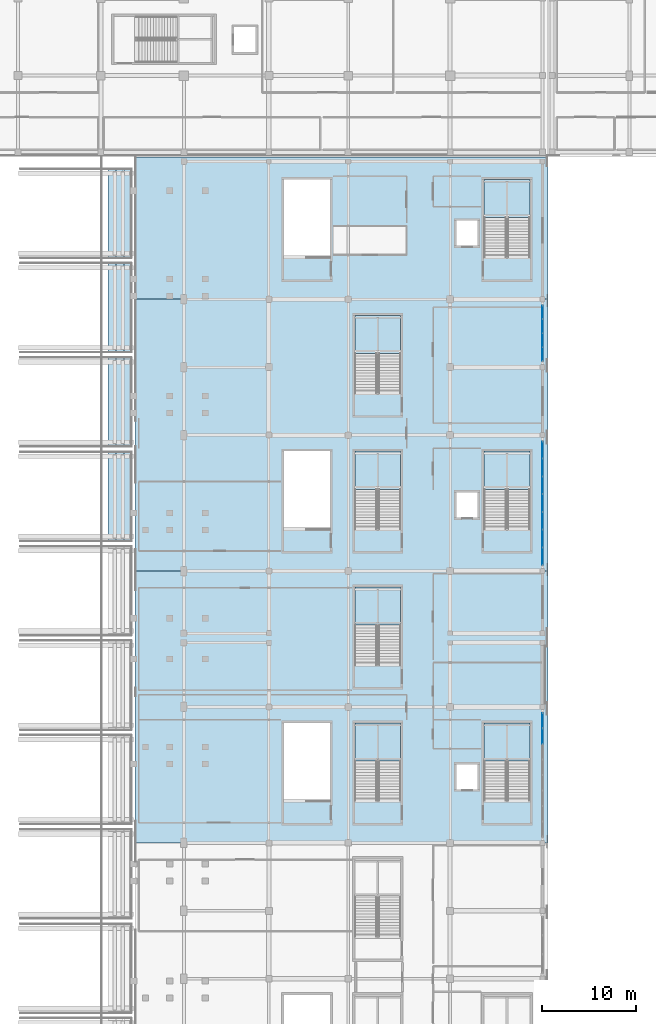
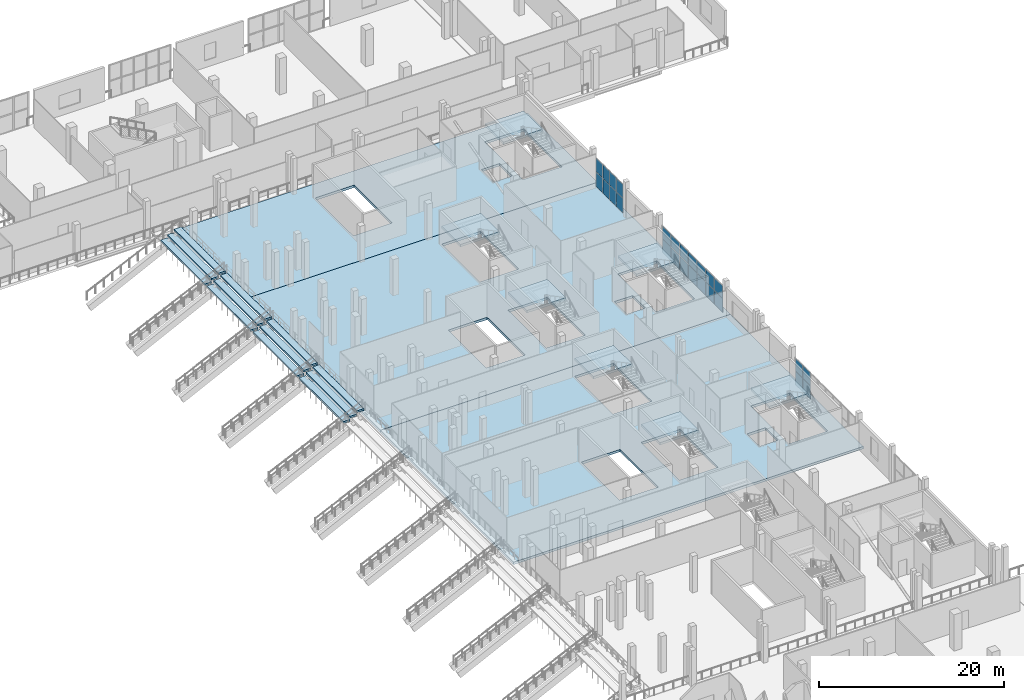
# One storey, part 65 of 129: 26 plates, 22 slabs, 10 elements without a shape of their own.
"""IFC4 building model written with IfcOpenShell, lengths in metres."""

from ifc_helpers import new_model, si_unit, direction, frame, origin, origin_2d, place, context, subcontext, project, spatial, polyline, rectangle, outline, extrude, material, layer, layer_set, type_object, element, aggregate, save


model = new_model("IFC4")

# Units and contexts
model_context = context("Model", 3, precision=1e-05, world=origin(), true_north=direction((0.0, 1.0)))
body_context = subcontext(model_context, "Body", "Model", "MODEL_VIEW")
ifc_project = project(units=[si_unit("LENGTHUNIT", "METRE"), si_unit("AREAUNIT", "SQUARE_METRE"), si_unit("VOLUMEUNIT", "CUBIC_METRE"), si_unit("PLANEANGLEUNIT", "RADIAN"), si_unit("MASSUNIT", "GRAM", prefix="KILO")], contexts=[model_context])

# Site, building, storey
site_placement = place(None, origin())
site = spatial("IfcSite", under=ifc_project, at=site_placement, CompositionType="ELEMENT")
building_placement = place(site_placement, origin())
building = spatial("IfcBuilding", under=site, at=building_placement, Name="Koshinbarg Plaza Stadium", CompositionType="ELEMENT")
storey_placement = place(building_placement, frame((0.0, 0.0, 5.39990234375)))
storey = spatial("IfcBuildingStorey", under=building, at=storey_placement, Name="L01", CompositionType="ELEMENT", Elevation=5.39990234375)

# Curtain wall, plates
ifc_material_1 = material(Name="Thermally broken anodised aluminium and low-E double glazing", Category="aluminium")
curtain_wall_type_1 = type_object("IfcCurtainWallType", Name="CW-SYS-05", PredefinedType="NOTDEFINED", material=ifc_material_1)
curtain_wall_1_placement = place(storey_placement, origin())
curtain_wall_1 = element("IfcCurtainWall", 1, at=curtain_wall_1_placement, inside=storey, type_object=curtain_wall_type_1, Name="L01 unitised curtain wall CW-L01-020", PredefinedType="NOTDEFINED")
ifc_material_2 = material(Name="Solar-control low-E double glazing unit", Category="glass")
ifc_layer_1 = layer(ifc_material_2, 0.028076171875)
ifc_layer_set_1 = layer_set([ifc_layer_1], Name="Solar-control low-E double glazing unit")
plate_type_1 = type_object("IfcPlateType", Name="CW-PNL-28", PredefinedType="CURTAIN_PANEL", material=ifc_layer_set_1)
plate_1_placement = place(storey_placement, frame((218.39990234375, 110.52001953125, 0.06005859375), z_axis=(0.0, 0.0, 1.0), x_axis=(0.0, -1.0, 0.0)))
plate_1 = element("IfcPlate", 2, at=plate_1_placement, type_object=plate_type_1, Name="CW05 panel 1.1", PredefinedType="CURTAIN_PANEL", context=body_context, shape_type="SweptSolid", body=[
    extrude(rectangle(XDim=1.39990234375, YDim=0.028076171875, at=origin_2d()), origin(), (0.0, 0.0, 1.0), 1.927490234375),
])
plate_2_placement = place(storey_placement, frame((218.39990234375, 110.52001953125, 2.047607421875), z_axis=(0.0, 0.0, 1.0), x_axis=(0.0, -1.0, 0.0)))
plate_2 = element("IfcPlate", 3, at=plate_2_placement, type_object=plate_type_1, Name="CW05 panel 1.2", PredefinedType="CURTAIN_PANEL", context=body_context, shape_type="SweptSolid", body=[
    extrude(rectangle(XDim=1.39990234375, YDim=0.028076171875, at=origin_2d()), origin(), (0.0, 0.0, 1.0), 1.7724609375),
])
plate_3_placement = place(storey_placement, frame((218.39990234375, 109.044921875, 0.06005859375), z_axis=(0.0, 0.0, 1.0), x_axis=(0.0, -1.0, 0.0)))
plate_3 = element("IfcPlate", 4, at=plate_3_placement, type_object=plate_type_1, Name="CW05 panel 2.1", PredefinedType="CURTAIN_PANEL", context=body_context, shape_type="SweptSolid", body=[
    extrude(rectangle(XDim=1.429931640625, YDim=0.028076171875, at=origin_2d()), origin(), (0.0, 0.0, 1.0), 1.927490234375),
])
plate_4_placement = place(storey_placement, frame((218.39990234375, 109.044921875, 2.047607421875), z_axis=(0.0, 0.0, 1.0), x_axis=(0.0, -1.0, 0.0)))
plate_4 = element("IfcPlate", 5, at=plate_4_placement, type_object=plate_type_1, Name="CW05 panel 2.2", PredefinedType="CURTAIN_PANEL", context=body_context, shape_type="SweptSolid", body=[
    extrude(rectangle(XDim=1.429931640625, YDim=0.028076171875, at=origin_2d()), origin(), (0.0, 0.0, 1.0), 1.7724609375),
])
plate_5_placement = place(storey_placement, frame((218.39990234375, 107.554931640625, 0.06005859375), z_axis=(0.0, 0.0, 1.0), x_axis=(0.0, -1.0, 0.0)))
plate_5 = element("IfcPlate", 6, at=plate_5_placement, type_object=plate_type_1, Name="CW05 panel 3.1", PredefinedType="CURTAIN_PANEL", context=body_context, shape_type="SweptSolid", body=[
    extrude(rectangle(XDim=1.429931640625, YDim=0.028076171875, at=origin_2d()), origin(), (0.0, 0.0, 1.0), 1.927490234375),
])
plate_6_placement = place(storey_placement, frame((218.39990234375, 107.554931640625, 2.047607421875), z_axis=(0.0, 0.0, 1.0), x_axis=(0.0, -1.0, 0.0)))
plate_6 = element("IfcPlate", 7, at=plate_6_placement, type_object=plate_type_1, Name="CW05 panel 3.2", PredefinedType="CURTAIN_PANEL", context=body_context, shape_type="SweptSolid", body=[
    extrude(rectangle(XDim=1.429931640625, YDim=0.028076171875, at=origin_2d()), origin(), (0.0, 0.0, 1.0), 1.7724609375),
])
plate_7_placement = place(storey_placement, frame((218.39990234375, 106.080078125, 0.06005859375), z_axis=(0.0, 0.0, 1.0), x_axis=(0.0, -1.0, 0.0)))
plate_7 = element("IfcPlate", 8, at=plate_7_placement, type_object=plate_type_1, Name="CW05 panel 4.1", PredefinedType="CURTAIN_PANEL", context=body_context, shape_type="SweptSolid", body=[
    extrude(rectangle(XDim=1.39990234375, YDim=0.028076171875, at=origin_2d()), origin(), (0.0, 0.0, 1.0), 1.927490234375),
])
plate_8_placement = place(storey_placement, frame((218.39990234375, 106.080078125, 2.047607421875), z_axis=(0.0, 0.0, 1.0), x_axis=(0.0, -1.0, 0.0)))
plate_8 = element("IfcPlate", 9, at=plate_8_placement, type_object=plate_type_1, Name="CW05 panel 4.2", PredefinedType="CURTAIN_PANEL", context=body_context, shape_type="SweptSolid", body=[
    extrude(rectangle(XDim=1.39990234375, YDim=0.028076171875, at=origin_2d()), origin(), (0.0, 0.0, 1.0), 1.7724609375),
])
aggregate(curtain_wall_1, [plate_1, plate_2, plate_3, plate_4, plate_5, plate_6, plate_7, plate_8])

curtain_wall_type_2 = type_object("IfcCurtainWallType", Name="CW-SYS-07", PredefinedType="NOTDEFINED", material=ifc_material_1)
curtain_wall_2_placement = place(storey_placement, origin())
curtain_wall_2 = element("IfcCurtainWall", 10, at=curtain_wall_2_placement, inside=storey, type_object=curtain_wall_type_2, Name="L01 unitised curtain wall CW-L01-022", PredefinedType="NOTDEFINED")
plate_9_placement = place(storey_placement, frame((218.39990234375, 67.242431640625, 0.06005859375), z_axis=(0.0, 0.0, 1.0), x_axis=(0.0, -1.0, 0.0)))
plate_9 = element("IfcPlate", 11, at=plate_9_placement, type_object=plate_type_1, Name="CW07 panel 1.1", PredefinedType="CURTAIN_PANEL", context=body_context, shape_type="SweptSolid", body=[
    extrude(rectangle(XDim=1.554931640625, YDim=0.028076171875, at=origin_2d()), origin(), (0.0, 0.0, 1.0), 1.771484375),
])
plate_10_placement = place(storey_placement, frame((218.39990234375, 67.242431640625, 1.8916015625), z_axis=(0.0, 0.0, 1.0), x_axis=(0.0, -1.0, 0.0)))
plate_10 = element("IfcPlate", 12, at=plate_10_placement, type_object=plate_type_1, Name="CW07 panel 1.2", PredefinedType="CURTAIN_PANEL", context=body_context, shape_type="SweptSolid", body=[
    extrude(rectangle(XDim=1.554931640625, YDim=0.028076171875, at=origin_2d()), origin(), (0.0, 0.0, 1.0), 1.62841796875),
])
plate_11_placement = place(storey_placement, frame((218.39990234375, 65.612548828125, 0.06005859375), z_axis=(0.0, 0.0, 1.0), x_axis=(0.0, -1.0, 0.0)))
plate_11 = element("IfcPlate", 13, at=plate_11_placement, type_object=plate_type_1, Name="CW07 panel 2.1", PredefinedType="CURTAIN_PANEL", context=body_context, shape_type="SweptSolid", body=[
    extrude(rectangle(XDim=1.5849609375, YDim=0.028076171875, at=origin_2d()), origin(), (0.0, 0.0, 1.0), 1.771484375),
])
plate_12_placement = place(storey_placement, frame((218.39990234375, 65.612548828125, 1.8916015625), z_axis=(0.0, 0.0, 1.0), x_axis=(0.0, -1.0, 0.0)))
plate_12 = element("IfcPlate", 14, at=plate_12_placement, type_object=plate_type_1, Name="CW07 panel 2.2", PredefinedType="CURTAIN_PANEL", context=body_context, shape_type="SweptSolid", body=[
    extrude(rectangle(XDim=1.5849609375, YDim=0.028076171875, at=origin_2d()), origin(), (0.0, 0.0, 1.0), 1.62841796875),
])
aggregate(curtain_wall_2, [plate_9, plate_10, plate_11, plate_12])

curtain_wall_type_3 = type_object("IfcCurtainWallType", Name="CW-SYS-06", PredefinedType="NOTDEFINED", material=ifc_material_1)
curtain_wall_3_placement = place(storey_placement, origin())
curtain_wall_3 = element("IfcCurtainWall", 15, at=curtain_wall_3_placement, inside=storey, type_object=curtain_wall_type_3, Name="L01 unitised curtain wall CW-L01-021", PredefinedType="NOTDEFINED")
ifc_material_3 = material(Name="Acoustic solar-control double glazing unit", Category="glass")
ifc_layer_2 = layer(ifc_material_3, 0.031982421875)
ifc_layer_set_2 = layer_set([ifc_layer_2], Name="Acoustic solar-control double glazing unit")
plate_type_2 = type_object("IfcPlateType", Name="CW-PNL-32", PredefinedType="CURTAIN_PANEL", material=ifc_layer_set_2)
plate_13_placement = place(storey_placement, frame((218.39990234375, 95.925048828125, 0.06005859375), z_axis=(0.0, 0.0, 1.0), x_axis=(0.0, -1.0, 0.0)))
plate_13 = element("IfcPlate", 16, at=plate_13_placement, type_object=plate_type_2, Name="CW06 panel 1.1", PredefinedType="CURTAIN_PANEL", context=body_context, shape_type="SweptSolid", body=[
    extrude(rectangle(XDim=1.7900390625, YDim=0.031982421875, at=origin_2d()), origin(), (0.0, 0.0, 1.0), 1.771484375),
])
plate_14_placement = place(storey_placement, frame((218.39990234375, 95.925048828125, 1.8916015625), z_axis=(0.0, 0.0, 1.0), x_axis=(0.0, -1.0, 0.0)))
plate_14 = element("IfcPlate", 17, at=plate_14_placement, type_object=plate_type_2, Name="CW06 panel 1.2", PredefinedType="CURTAIN_PANEL", context=body_context, shape_type="SweptSolid", body=[
    extrude(rectangle(XDim=1.7900390625, YDim=0.031982421875, at=origin_2d()), origin(), (0.0, 0.0, 1.0), 1.62841796875),
])
plate_15_placement = place(storey_placement, frame((218.39990234375, 94.06005859375, 0.06005859375), z_axis=(0.0, 0.0, 1.0), x_axis=(0.0, -1.0, 0.0)))
plate_15 = element("IfcPlate", 18, at=plate_15_placement, type_object=plate_type_2, Name="CW06 panel 2.1", PredefinedType="CURTAIN_PANEL", context=body_context, shape_type="SweptSolid", body=[
    extrude(rectangle(XDim=1.820068359375, YDim=0.031982421875, at=origin_2d()), origin(), (0.0, 0.0, 1.0), 1.771484375),
])
plate_16_placement = place(storey_placement, frame((218.39990234375, 94.06005859375, 1.8916015625), z_axis=(0.0, 0.0, 1.0), x_axis=(0.0, -1.0, 0.0)))
plate_16 = element("IfcPlate", 19, at=plate_16_placement, type_object=plate_type_2, Name="CW06 panel 2.2", PredefinedType="CURTAIN_PANEL", context=body_context, shape_type="SweptSolid", body=[
    extrude(rectangle(XDim=1.820068359375, YDim=0.031982421875, at=origin_2d()), origin(), (0.0, 0.0, 1.0), 1.62841796875),
])
plate_17_placement = place(storey_placement, frame((218.39990234375, 92.179931640625, 0.06005859375), z_axis=(0.0, 0.0, 1.0), x_axis=(0.0, -1.0, 0.0)))
plate_17 = element("IfcPlate", 20, at=plate_17_placement, type_object=plate_type_2, Name="CW06 panel 3.1", PredefinedType="CURTAIN_PANEL", context=body_context, shape_type="SweptSolid", body=[
    extrude(rectangle(XDim=1.820068359375, YDim=0.031982421875, at=origin_2d()), origin(), (0.0, 0.0, 1.0), 1.771484375),
])
plate_18_placement = place(storey_placement, frame((218.39990234375, 92.179931640625, 1.8916015625), z_axis=(0.0, 0.0, 1.0), x_axis=(0.0, -1.0, 0.0)))
plate_18 = element("IfcPlate", 21, at=plate_18_placement, type_object=plate_type_2, Name="CW06 panel 3.2", PredefinedType="CURTAIN_PANEL", context=body_context, shape_type="SweptSolid", body=[
    extrude(rectangle(XDim=1.820068359375, YDim=0.031982421875, at=origin_2d()), origin(), (0.0, 0.0, 1.0), 1.62841796875),
])
plate_19_placement = place(storey_placement, frame((218.39990234375, 90.300048828125, 0.06005859375), z_axis=(0.0, 0.0, 1.0), x_axis=(0.0, -1.0, 0.0)))
plate_19 = element("IfcPlate", 22, at=plate_19_placement, type_object=plate_type_2, Name="CW06 panel 4.1", PredefinedType="CURTAIN_PANEL", context=body_context, shape_type="SweptSolid", body=[
    extrude(rectangle(XDim=1.820068359375, YDim=0.031982421875, at=origin_2d()), origin(), (0.0, 0.0, 1.0), 1.771484375),
])
plate_20_placement = place(storey_placement, frame((218.39990234375, 90.300048828125, 1.8916015625), z_axis=(0.0, 0.0, 1.0), x_axis=(0.0, -1.0, 0.0)))
plate_20 = element("IfcPlate", 23, at=plate_20_placement, type_object=plate_type_2, Name="CW06 panel 4.2", PredefinedType="CURTAIN_PANEL", context=body_context, shape_type="SweptSolid", body=[
    extrude(rectangle(XDim=1.820068359375, YDim=0.031982421875, at=origin_2d()), origin(), (0.0, 0.0, 1.0), 1.62841796875),
])
plate_21_placement = place(storey_placement, frame((218.39990234375, 88.419921875, 0.06005859375), z_axis=(0.0, 0.0, 1.0), x_axis=(0.0, -1.0, 0.0)))
plate_21 = element("IfcPlate", 24, at=plate_21_placement, type_object=plate_type_2, Name="CW06 panel 5.1", PredefinedType="CURTAIN_PANEL", context=body_context, shape_type="SweptSolid", body=[
    extrude(rectangle(XDim=1.820068359375, YDim=0.031982421875, at=origin_2d()), origin(), (0.0, 0.0, 1.0), 1.771484375),
])
plate_22_placement = place(storey_placement, frame((218.39990234375, 88.419921875, 1.8916015625), z_axis=(0.0, 0.0, 1.0), x_axis=(0.0, -1.0, 0.0)))
plate_22 = element("IfcPlate", 25, at=plate_22_placement, type_object=plate_type_2, Name="CW06 panel 5.2", PredefinedType="CURTAIN_PANEL", context=body_context, shape_type="SweptSolid", body=[
    extrude(rectangle(XDim=1.820068359375, YDim=0.031982421875, at=origin_2d()), origin(), (0.0, 0.0, 1.0), 1.62841796875),
])
plate_23_placement = place(storey_placement, frame((218.39990234375, 86.5400390625, 0.06005859375), z_axis=(0.0, 0.0, 1.0), x_axis=(0.0, -1.0, 0.0)))
plate_23 = element("IfcPlate", 26, at=plate_23_placement, type_object=plate_type_2, Name="CW06 panel 6.1", PredefinedType="CURTAIN_PANEL", context=body_context, shape_type="SweptSolid", body=[
    extrude(rectangle(XDim=1.820068359375, YDim=0.031982421875, at=origin_2d()), origin(), (0.0, 0.0, 1.0), 1.771484375),
])
plate_24_placement = place(storey_placement, frame((218.39990234375, 86.5400390625, 1.8916015625), z_axis=(0.0, 0.0, 1.0), x_axis=(0.0, -1.0, 0.0)))
plate_24 = element("IfcPlate", 27, at=plate_24_placement, type_object=plate_type_2, Name="CW06 panel 6.2", PredefinedType="CURTAIN_PANEL", context=body_context, shape_type="SweptSolid", body=[
    extrude(rectangle(XDim=1.820068359375, YDim=0.031982421875, at=origin_2d()), origin(), (0.0, 0.0, 1.0), 1.62841796875),
])
plate_25_placement = place(storey_placement, frame((218.39990234375, 84.675048828125, 0.06005859375), z_axis=(0.0, 0.0, 1.0), x_axis=(0.0, -1.0, 0.0)))
plate_25 = element("IfcPlate", 28, at=plate_25_placement, type_object=plate_type_2, Name="CW06 panel 7.1", PredefinedType="CURTAIN_PANEL", context=body_context, shape_type="SweptSolid", body=[
    extrude(rectangle(XDim=1.7900390625, YDim=0.031982421875, at=origin_2d()), origin(), (0.0, 0.0, 1.0), 1.771484375),
])
plate_26_placement = place(storey_placement, frame((218.39990234375, 84.675048828125, 1.8916015625), z_axis=(0.0, 0.0, 1.0), x_axis=(0.0, -1.0, 0.0)))
plate_26 = element("IfcPlate", 29, at=plate_26_placement, type_object=plate_type_2, Name="CW06 panel 7.2", PredefinedType="CURTAIN_PANEL", context=body_context, shape_type="SweptSolid", body=[
    extrude(rectangle(XDim=1.7900390625, YDim=0.031982421875, at=origin_2d()), origin(), (0.0, 0.0, 1.0), 1.62841796875),
])
aggregate(curtain_wall_3, [plate_13, plate_14, plate_15, plate_16, plate_17, plate_18, plate_19, plate_20, plate_21, plate_22, plate_23, plate_24, plate_25, plate_26])

# Slabs
ifc_material_4 = material(Name="Concrete C35/45", Category="concrete")
ifc_layer_3 = layer(ifc_material_4, 0.320068359375)
ifc_layer_set_3 = layer_set([ifc_layer_3], Name="Concrete C35/45")
slab_type_1 = type_object("IfcSlabType", Name="SL-FLR-320", PredefinedType="FLOOR", material=ifc_layer_set_3)
slab_1_placement = place(storey_placement, frame((0.0, 0.0, -0.31982421875)))
element("IfcSlab", 30, at=slab_1_placement, inside=storey, type_object=slab_type_1, Name="L01 V2 structural slab 6", PredefinedType="FLOOR", context=body_context, shape_type="SweptSolid", body=[
    extrude(outline(polyline([(175.199951171875, 54.300048828125), (218.955078125, 54.300048828125), (218.955078125, 83.10009765625), (175.199951171875, 83.10009765625), (175.199951171875, 54.300048828125)]), holes=[polyline([(217.070068359375, 58.760009765625), (217.070068359375, 67.0), (212.199951171875, 67.0), (212.199951171875, 58.760009765625), (217.070068359375, 58.760009765625)]), polyline([(209.25, 59.949951171875), (211.550048828125, 59.949951171875), (211.550048828125, 62.64990234375), (209.25, 62.64990234375), (209.25, 59.949951171875)]), polyline([(203.3701171875, 58.760009765625), (203.3701171875, 67.0), (198.5, 67.0), (198.5, 58.760009765625), (203.3701171875, 58.760009765625)]), polyline([(203.3701171875, 73.159912109375), (203.3701171875, 81.39990234375), (198.5, 81.39990234375), (198.5, 73.159912109375), (203.3701171875, 73.159912109375)]), polyline([(195.8701171875, 58.760009765625), (195.8701171875, 67.0), (191.0, 67.0), (191.0, 58.760009765625), (195.8701171875, 58.760009765625)])]), origin(), (0.0, 0.0, 1.0), 0.31982421875),
])
slab_2_placement = place(storey_placement, frame((0.0, 0.0, -0.31982421875)))
element("IfcSlab", 31, at=slab_2_placement, inside=storey, type_object=slab_type_1, Name="L01 V2 structural slab 7", PredefinedType="FLOOR", context=body_context, shape_type="SweptSolid", body=[
    extrude(outline(polyline([(175.199951171875, 83.10009765625), (218.955078125, 83.10009765625), (218.955078125, 111.89990234375), (175.199951171875, 111.89990234375), (175.199951171875, 83.10009765625)]), holes=[polyline([(217.070068359375, 87.56005859375), (217.070068359375, 95.800048828125), (212.199951171875, 95.800048828125), (212.199951171875, 87.56005859375), (217.070068359375, 87.56005859375)]), polyline([(209.25, 88.75), (211.550048828125, 88.75), (211.550048828125, 91.449951171875), (209.25, 91.449951171875), (209.25, 88.75)]), polyline([(203.3701171875, 87.56005859375), (203.3701171875, 95.800048828125), (198.5, 95.800048828125), (198.5, 87.56005859375), (203.3701171875, 87.56005859375)]), polyline([(203.3701171875, 101.9599609375), (203.3701171875, 110.199951171875), (198.5, 110.199951171875), (198.5, 101.9599609375), (203.3701171875, 101.9599609375)]), polyline([(195.8701171875, 87.56005859375), (195.8701171875, 95.800048828125), (191.0, 95.800048828125), (191.0, 87.56005859375), (195.8701171875, 87.56005859375)])]), origin(), (0.0, 0.0, 1.0), 0.31982421875),
])
slab_3_placement = place(storey_placement, frame((0.0, 0.0, -0.31982421875)))
element("IfcSlab", 32, at=slab_3_placement, inside=storey, type_object=slab_type_1, Name="L01 V2 structural slab 8", PredefinedType="FLOOR", context=body_context, shape_type="SweptSolid", body=[
    extrude(outline(polyline([(175.199951171875, 111.89990234375), (218.955078125, 111.89990234375), (218.955078125, 126.955078125), (175.199951171875, 126.955078125), (175.199951171875, 111.89990234375)]), holes=[polyline([(217.070068359375, 116.360107421875), (217.070068359375, 124.60009765625), (212.199951171875, 124.60009765625), (212.199951171875, 116.360107421875), (217.070068359375, 116.360107421875)]), polyline([(209.25, 117.550048828125), (211.550048828125, 117.550048828125), (211.550048828125, 120.25), (209.25, 120.25), (209.25, 117.550048828125)]), polyline([(195.8701171875, 116.360107421875), (195.8701171875, 124.60009765625), (191.0, 124.60009765625), (191.0, 116.360107421875), (195.8701171875, 116.360107421875)])]), origin(), (0.0, 0.0, 1.0), 0.31982421875),
])

# Stair, slab
stair_type_1 = type_object("IfcStairType", Name="ST-CORE-48", PredefinedType="HALF_TURN_STAIR", material=ifc_material_4)
stair_1_placement = place(storey_placement, origin())
stair_1 = element("IfcStair", 33, at=stair_1_placement, inside=storey, type_object=stair_type_1, Name="L01 Protected Exit Stair C08", PredefinedType="HALF_TURN_STAIR")
ifc_layer_4 = layer(ifc_material_4, 0.320068359375)
ifc_layer_set_4 = layer_set([ifc_layer_4], Name="Concrete C35/45")
slab_type_2 = type_object("IfcSlabType", Name="SL-STLAND-280", PredefinedType="LANDING", material=ifc_layer_set_4)
slab_4_placement = place(storey_placement, frame((0.0, 0.0, 2.080078125)))
slab_4 = element("IfcSlab", 34, at=slab_4_placement, type_object=slab_type_2, Name="L01 Protected Exit Stair C08 landing 043", PredefinedType="LANDING", context=body_context, shape_type="SweptSolid", body=[
    extrude(outline(polyline([(217.070068359375, 62.9599609375), (217.070068359375, 67.0), (212.199951171875, 67.0), (212.199951171875, 62.9599609375), (217.070068359375, 62.9599609375)])), origin(), (0.0, 0.0, 1.0), 0.320068359375),
])
aggregate(stair_1, [slab_4])

stair_2_placement = place(storey_placement, origin())
stair_2 = element("IfcStair", 35, at=stair_2_placement, inside=storey, type_object=stair_type_1, Name="L01 Protected Exit Stair C09", PredefinedType="HALF_TURN_STAIR")
slab_5_placement = place(storey_placement, frame((0.0, 0.0, 2.080078125)))
slab_5 = element("IfcSlab", 36, at=slab_5_placement, type_object=slab_type_2, Name="L01 Protected Exit Stair C09 landing 048", PredefinedType="LANDING", context=body_context, shape_type="SweptSolid", body=[
    extrude(outline(polyline([(217.070068359375, 91.760009765625), (217.070068359375, 95.800048828125), (212.199951171875, 95.800048828125), (212.199951171875, 91.760009765625), (217.070068359375, 91.760009765625)])), origin(), (0.0, 0.0, 1.0), 0.320068359375),
])
aggregate(stair_2, [slab_5])

stair_3_placement = place(storey_placement, origin())
stair_3 = element("IfcStair", 37, at=stair_3_placement, inside=storey, type_object=stair_type_1, Name="L01 Protected Exit Stair C10", PredefinedType="HALF_TURN_STAIR")
slab_6_placement = place(storey_placement, frame((0.0, 0.0, 2.080078125)))
slab_6 = element("IfcSlab", 38, at=slab_6_placement, type_object=slab_type_2, Name="L01 Protected Exit Stair C10 landing 053", PredefinedType="LANDING", context=body_context, shape_type="SweptSolid", body=[
    extrude(outline(polyline([(217.070068359375, 120.56005859375), (217.070068359375, 124.60009765625), (212.199951171875, 124.60009765625), (212.199951171875, 120.56005859375), (217.070068359375, 120.56005859375)])), origin(), (0.0, 0.0, 1.0), 0.320068359375),
])
aggregate(stair_3, [slab_6])

stair_type_2 = type_object("IfcStairType", Name="ST-VOM-48", PredefinedType="HALF_TURN_STAIR", material=ifc_material_4)
stair_4_placement = place(storey_placement, origin())
stair_4 = element("IfcStair", 39, at=stair_4_placement, inside=storey, type_object=stair_type_2, Name="L01 Upper Vomitory Stair VX09", PredefinedType="HALF_TURN_STAIR")
slab_7_placement = place(storey_placement, frame((0.0, 0.0, 2.080078125)))
slab_7 = element("IfcSlab", 40, at=slab_7_placement, type_object=slab_type_2, Name="L01 Upper Vomitory Stair VX09 landing 100", PredefinedType="LANDING", context=body_context, shape_type="SweptSolid", body=[
    extrude(outline(polyline([(203.3701171875, 62.9599609375), (203.3701171875, 67.0), (198.5, 67.0), (198.5, 62.9599609375), (203.3701171875, 62.9599609375)])), origin(), (0.0, 0.0, 1.0), 0.320068359375),
])
aggregate(stair_4, [slab_7])

stair_5_placement = place(storey_placement, origin())
stair_5 = element("IfcStair", 41, at=stair_5_placement, inside=storey, type_object=stair_type_2, Name="L01 Upper Vomitory Stair VX10", PredefinedType="HALF_TURN_STAIR")
slab_8_placement = place(storey_placement, frame((0.0, 0.0, 2.080078125)))
slab_8 = element("IfcSlab", 42, at=slab_8_placement, type_object=slab_type_2, Name="L01 Upper Vomitory Stair VX10 landing 103", PredefinedType="LANDING", context=body_context, shape_type="SweptSolid", body=[
    extrude(outline(polyline([(203.3701171875, 77.360107421875), (203.3701171875, 81.39990234375), (198.5, 81.39990234375), (198.5, 77.360107421875), (203.3701171875, 77.360107421875)])), origin(), (0.0, 0.0, 1.0), 0.320068359375),
])
aggregate(stair_5, [slab_8])

stair_6_placement = place(storey_placement, origin())
stair_6 = element("IfcStair", 43, at=stair_6_placement, inside=storey, type_object=stair_type_2, Name="L01 Upper Vomitory Stair VX11", PredefinedType="HALF_TURN_STAIR")
slab_9_placement = place(storey_placement, frame((0.0, 0.0, 2.080078125)))
slab_9 = element("IfcSlab", 44, at=slab_9_placement, type_object=slab_type_2, Name="L01 Upper Vomitory Stair VX11 landing 106", PredefinedType="LANDING", context=body_context, shape_type="SweptSolid", body=[
    extrude(outline(polyline([(203.3701171875, 91.760009765625), (203.3701171875, 95.800048828125), (198.5, 95.800048828125), (198.5, 91.760009765625), (203.3701171875, 91.760009765625)])), origin(), (0.0, 0.0, 1.0), 0.320068359375),
])
aggregate(stair_6, [slab_9])

stair_7_placement = place(storey_placement, origin())
stair_7 = element("IfcStair", 45, at=stair_7_placement, inside=storey, type_object=stair_type_2, Name="L01 Upper Vomitory Stair VX12", PredefinedType="HALF_TURN_STAIR")
slab_10_placement = place(storey_placement, frame((0.0, 0.0, 2.080078125)))
slab_10 = element("IfcSlab", 46, at=slab_10_placement, type_object=slab_type_2, Name="L01 Upper Vomitory Stair VX12 landing 109", PredefinedType="LANDING", context=body_context, shape_type="SweptSolid", body=[
    extrude(outline(polyline([(203.3701171875, 106.159912109375), (203.3701171875, 110.199951171875), (198.5, 110.199951171875), (198.5, 106.159912109375), (203.3701171875, 106.159912109375)])), origin(), (0.0, 0.0, 1.0), 0.320068359375),
])
aggregate(stair_7, [slab_10])

# Slabs
ifc_material_5 = material(Name="Precast concrete C40/50", Category="concrete")
ifc_layer_5 = layer(ifc_material_5, 0.219970703125)
ifc_layer_set_5 = layer_set([ifc_layer_5], Name="Precast concrete C40/50")
slab_type_3 = type_object("IfcSlabType", Name="SL-TIER-LT", PredefinedType="USERDEFINED", material=ifc_layer_set_5)
slab_11_placement = place(storey_placement, frame((0.0, 0.0, 0.02001953125)))
element("IfcSlab", 47, at=slab_11_placement, inside=storey, type_object=slab_type_3, Name="Stand lower seating tier LT-E07 row 12", ObjectType="SEATING TIER", PredefinedType="USERDEFINED", context=body_context, shape_type="SweptSolid", body=[
    extrude(outline(polyline([(172.35009765625, 86.199951171875), (173.199951171875, 86.199951171875), (173.199951171875, 95.800048828125), (172.35009765625, 95.800048828125), (172.35009765625, 86.199951171875)])), origin(), (0.0, 0.0, 1.0), 0.219970703125),
])
slab_12_placement = place(storey_placement, frame((0.0, 0.0, 0.440185546875)))
element("IfcSlab", 48, at=slab_12_placement, inside=storey, type_object=slab_type_3, Name="Stand lower seating tier LT-E07 row 13", ObjectType="SEATING TIER", PredefinedType="USERDEFINED", context=body_context, shape_type="SweptSolid", body=[
    extrude(outline(polyline([(173.199951171875, 86.199951171875), (174.050048828125, 86.199951171875), (174.050048828125, 95.800048828125), (173.199951171875, 95.800048828125), (173.199951171875, 86.199951171875)])), origin(), (0.0, 0.0, 1.0), 0.219970703125),
])
slab_13_placement = place(storey_placement, frame((0.0, 0.0, 0.860107421875)))
element("IfcSlab", 49, at=slab_13_placement, inside=storey, type_object=slab_type_3, Name="Stand lower seating tier LT-E07 row 14", ObjectType="SEATING TIER", PredefinedType="USERDEFINED", context=body_context, shape_type="SweptSolid", body=[
    extrude(outline(polyline([(174.050048828125, 86.199951171875), (174.89990234375, 86.199951171875), (174.89990234375, 95.800048828125), (174.050048828125, 95.800048828125), (174.050048828125, 86.199951171875)])), origin(), (0.0, 0.0, 1.0), 0.219970703125),
])
slab_14_placement = place(storey_placement, frame((0.0, 0.0, 0.02001953125)))
element("IfcSlab", 50, at=slab_14_placement, inside=storey, type_object=slab_type_3, Name="Stand lower seating tier LT-E08 row 12", ObjectType="SEATING TIER", PredefinedType="USERDEFINED", context=body_context, shape_type="SweptSolid", body=[
    extrude(outline(polyline([(172.35009765625, 96.199951171875), (173.199951171875, 96.199951171875), (173.199951171875, 105.800048828125), (172.35009765625, 105.800048828125), (172.35009765625, 96.199951171875)])), origin(), (0.0, 0.0, 1.0), 0.219970703125),
])
slab_15_placement = place(storey_placement, frame((0.0, 0.0, 0.440185546875)))
element("IfcSlab", 51, at=slab_15_placement, inside=storey, type_object=slab_type_3, Name="Stand lower seating tier LT-E08 row 13", ObjectType="SEATING TIER", PredefinedType="USERDEFINED", context=body_context, shape_type="SweptSolid", body=[
    extrude(outline(polyline([(173.199951171875, 96.199951171875), (174.050048828125, 96.199951171875), (174.050048828125, 105.800048828125), (173.199951171875, 105.800048828125), (173.199951171875, 96.199951171875)])), origin(), (0.0, 0.0, 1.0), 0.219970703125),
])
slab_16_placement = place(storey_placement, frame((0.0, 0.0, 0.860107421875)))
element("IfcSlab", 52, at=slab_16_placement, inside=storey, type_object=slab_type_3, Name="Stand lower seating tier LT-E08 row 14", ObjectType="SEATING TIER", PredefinedType="USERDEFINED", context=body_context, shape_type="SweptSolid", body=[
    extrude(outline(polyline([(174.050048828125, 96.199951171875), (174.89990234375, 96.199951171875), (174.89990234375, 105.800048828125), (174.050048828125, 105.800048828125), (174.050048828125, 96.199951171875)])), origin(), (0.0, 0.0, 1.0), 0.219970703125),
])
slab_17_placement = place(storey_placement, frame((0.0, 0.0, 0.02001953125)))
element("IfcSlab", 53, at=slab_17_placement, inside=storey, type_object=slab_type_3, Name="Stand lower seating tier LT-E09 row 12", ObjectType="SEATING TIER", PredefinedType="USERDEFINED", context=body_context, shape_type="SweptSolid", body=[
    extrude(outline(polyline([(172.35009765625, 106.199951171875), (173.199951171875, 106.199951171875), (173.199951171875, 115.800048828125), (172.35009765625, 115.800048828125), (172.35009765625, 106.199951171875)])), origin(), (0.0, 0.0, 1.0), 0.219970703125),
])
slab_18_placement = place(storey_placement, frame((0.0, 0.0, 0.440185546875)))
element("IfcSlab", 54, at=slab_18_placement, inside=storey, type_object=slab_type_3, Name="Stand lower seating tier LT-E09 row 13", ObjectType="SEATING TIER", PredefinedType="USERDEFINED", context=body_context, shape_type="SweptSolid", body=[
    extrude(outline(polyline([(173.199951171875, 106.199951171875), (174.050048828125, 106.199951171875), (174.050048828125, 115.800048828125), (173.199951171875, 115.800048828125), (173.199951171875, 106.199951171875)])), origin(), (0.0, 0.0, 1.0), 0.219970703125),
])
slab_19_placement = place(storey_placement, frame((0.0, 0.0, 0.860107421875)))
element("IfcSlab", 55, at=slab_19_placement, inside=storey, type_object=slab_type_3, Name="Stand lower seating tier LT-E09 row 14", ObjectType="SEATING TIER", PredefinedType="USERDEFINED", context=body_context, shape_type="SweptSolid", body=[
    extrude(outline(polyline([(174.050048828125, 106.199951171875), (174.89990234375, 106.199951171875), (174.89990234375, 115.800048828125), (174.050048828125, 115.800048828125), (174.050048828125, 106.199951171875)])), origin(), (0.0, 0.0, 1.0), 0.219970703125),
])
slab_20_placement = place(storey_placement, frame((0.0, 0.0, 0.02001953125)))
element("IfcSlab", 56, at=slab_20_placement, inside=storey, type_object=slab_type_3, Name="Stand lower seating tier LT-E10 row 12", ObjectType="SEATING TIER", PredefinedType="USERDEFINED", context=body_context, shape_type="SweptSolid", body=[
    extrude(outline(polyline([(172.35009765625, 116.199951171875), (173.199951171875, 116.199951171875), (173.199951171875, 125.800048828125), (172.35009765625, 125.800048828125), (172.35009765625, 116.199951171875)])), origin(), (0.0, 0.0, 1.0), 0.219970703125),
])
slab_21_placement = place(storey_placement, frame((0.0, 0.0, 0.440185546875)))
element("IfcSlab", 57, at=slab_21_placement, inside=storey, type_object=slab_type_3, Name="Stand lower seating tier LT-E10 row 13", ObjectType="SEATING TIER", PredefinedType="USERDEFINED", context=body_context, shape_type="SweptSolid", body=[
    extrude(outline(polyline([(173.199951171875, 116.199951171875), (174.050048828125, 116.199951171875), (174.050048828125, 125.449951171875), (173.699951171875, 125.800048828125), (173.199951171875, 125.800048828125), (173.199951171875, 116.199951171875)])), origin(), (0.0, 0.0, 1.0), 0.219970703125),
])
slab_22_placement = place(storey_placement, frame((0.0, 0.0, 0.860107421875)))
element("IfcSlab", 58, at=slab_22_placement, inside=storey, type_object=slab_type_3, Name="Stand lower seating tier LT-E10 row 14", ObjectType="SEATING TIER", PredefinedType="USERDEFINED", context=body_context, shape_type="SweptSolid", body=[
    extrude(outline(polyline([(174.050048828125, 116.199951171875), (174.89990234375, 116.199951171875), (174.89990234375, 125.800048828125), (174.050048828125, 125.800048828125), (174.050048828125, 116.199951171875)])), origin(), (0.0, 0.0, 1.0), 0.219970703125),
])

save(model, "model.ifc")
